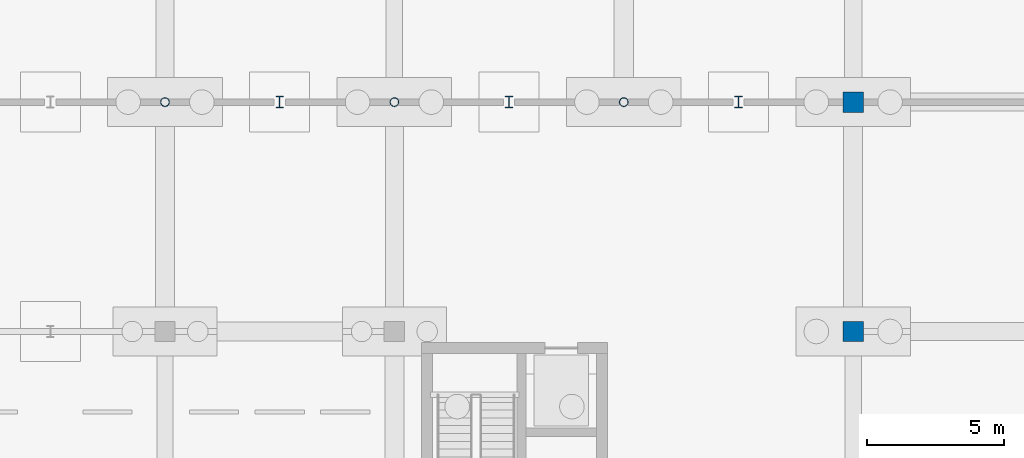
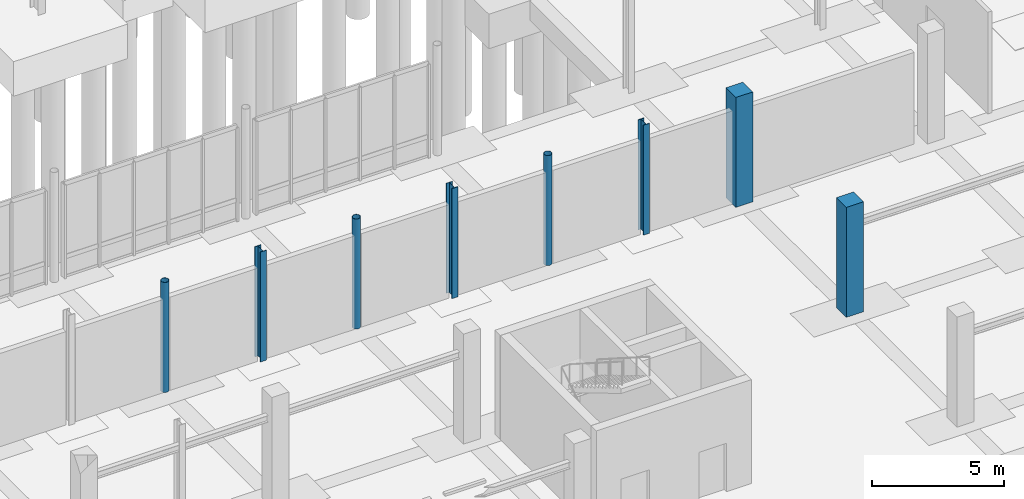
# One storey, part 16 of 119: 8 columns.
"""IFC4 building model written with IfcOpenShell, lengths in metres."""

from ifc_helpers import new_model, si_unit, derived_unit, direction, frame, origin, origin_2d, place, context, subcontext, project, spatial, rectangle, hollow_circle, i_section, extrude, material, material_profile, profile_set, type_object, element, save


model = new_model("IFC4")

# Units and contexts
model_context = context("Model", 3, precision=1e-05, world=origin(), true_north=direction((0.0, 1.0)))
body_context = subcontext(model_context, "Body", "Model", "MODEL_VIEW")
ifc_project = project(units=[si_unit("LENGTHUNIT", "METRE"), si_unit("AREAUNIT", "SQUARE_METRE"), si_unit("VOLUMEUNIT", "CUBIC_METRE"), si_unit("PLANEANGLEUNIT", "RADIAN"), si_unit("MASSUNIT", "GRAM", prefix="KILO"), derived_unit("THERMALTRANSMITTANCEUNIT", [(si_unit("MASSUNIT", "GRAM", prefix="KILO"), 1), (si_unit("TIMEUNIT", "SECOND"), -3), (si_unit("THERMODYNAMICTEMPERATUREUNIT", "KELVIN"), -1)])], contexts=[model_context])

# Site, building, storey
site_placement = place(None, origin())
site = spatial("IfcSite", under=ifc_project, at=site_placement, CompositionType="ELEMENT")
building_placement = place(site_placement, origin())
building = spatial("IfcBuilding", under=site, at=building_placement, Name="Makaiwela Harbour Ferry Terminal", CompositionType="ELEMENT")
storey_placement = place(building_placement, origin())
storey = spatial("IfcBuildingStorey", under=building, at=storey_placement, Name="L00", CompositionType="ELEMENT", Elevation=0.0)

# Columns
ifc_material_1 = material(Name="Steel ASTM A500 Grade C", Category="steel")
ifc_material_profile_1 = material_profile(ifc_material_1, hollow_circle(Radius=0.162109375, WallThickness=0.0126953125, at=origin_2d()), Name="PIPE12XS")
ifc_profile_set_1 = profile_set([ifc_material_profile_1], Name="Steel ASTM A500 Grade C")
column_type_1 = type_object("IfcColumnType", Name="STR-COL-PIPE12", PredefinedType="COLUMN", material=ifc_profile_set_1)
for number, where, z_axis, x_axis, name in (
    (1, (113.39990234375, 25.199951171875, 0.0), (0.0, 0.0, 1.0), (1.0, 0.0, 0.0), "Structural Column C-07"),
    (2, (121.800048828125, 25.199951171875, 0.0), (0.0, 0.0, 1.0), (1.0, 0.0, 0.0), "Structural Column C-07"),
    (3, (130.199951171875, 25.199951171875, 0.0), (0.0, 0.0, 1.0), (1.0, 0.0, 0.0), "Structural Column C-07"),
):
    element("IfcColumn", number, at=place(storey_placement, frame(where, z_axis=z_axis, x_axis=x_axis)), inside=storey, type_object=column_type_1, Name=name, PredefinedType="COLUMN", context=body_context, shape_type="SweptSolid", body=[
        extrude(hollow_circle(Radius=0.162109375, WallThickness=0.0126953125, at=origin_2d()), origin(), (0.0, 0.0, 1.0), 5.10009765625),
    ])
ifc_material_2 = material(Name="Concrete f'c 45 MPa (6500 psi)", Category="concrete")
ifc_material_profile_2 = material_profile(ifc_material_2, rectangle(XDim=0.75, YDim=0.75, at=origin_2d()), Name="RC-750X750")
ifc_profile_set_2 = profile_set([ifc_material_profile_2], Name="Concrete f'c 45 MPa (6500 psi)")
column_type_2 = type_object("IfcColumnType", Name="STR-COL-RC750", PredefinedType="COLUMN", material=ifc_profile_set_2)
for number, where, z_axis, x_axis, name in (
    (4, (138.60009765625, 16.800048828125, 0.0), (0.0, 0.0, 1.0), (1.0, 0.0, 0.0), "Structural Column C-08"),
    (5, (138.60009765625, 25.199951171875, 0.0), (0.0, 0.0, 1.0), (1.0, 0.0, 0.0), "Structural Column C-08"),
):
    element("IfcColumn", number, at=place(storey_placement, frame(where, z_axis=z_axis, x_axis=x_axis)), inside=storey, type_object=column_type_2, Name=name, PredefinedType="COLUMN", context=body_context, shape_type="SweptSolid", body=[
        extrude(rectangle(XDim=0.75, YDim=0.75, at=origin_2d()), origin(), (0.0, 0.0, 1.0), 5.10009765625),
    ])
ifc_material_3 = material(Name="Steel ASTM A992 Grade 50", Category="steel")
ifc_material_profile_3 = material_profile(ifc_material_3, i_section(OverallWidth=0.264892578125, OverallDepth=0.430908203125, WebThickness=0.014892578125, FlangeThickness=0.02490234375, at=origin_2d()), Name="W16X100")
ifc_profile_set_3 = profile_set([ifc_material_profile_3], Name="Steel ASTM A992 Grade 50")
column_type_3 = type_object("IfcColumnType", Name="STR-COL-W16X100", PredefinedType="COLUMN", material=ifc_profile_set_3)
for number, where, z_axis, x_axis, name in (
    (6, (117.60009765625, 25.199951171875, 0.0), (0.0, 0.0, 1.0), (1.0, 0.0, 0.0), "Structural Column C-03"),
    (7, (126.0, 25.199951171875, 0.0), (0.0, 0.0, 1.0), (1.0, 0.0, 0.0), "Structural Column C-03"),
    (8, (134.39990234375, 25.199951171875, 0.0), (0.0, 0.0, 1.0), (1.0, 0.0, 0.0), "Structural Column C-03"),
):
    element("IfcColumn", number, at=place(storey_placement, frame(where, z_axis=z_axis, x_axis=x_axis)), inside=storey, type_object=column_type_3, Name=name, PredefinedType="COLUMN", context=body_context, shape_type="SweptSolid", body=[
        extrude(i_section(OverallWidth=0.264892578125, OverallDepth=0.430908203125, WebThickness=0.014892578125, FlangeThickness=0.02490234375, at=origin_2d()), origin(), (0.0, 0.0, 1.0), 5.10009765625),
    ])

save(model, "model.ifc")
